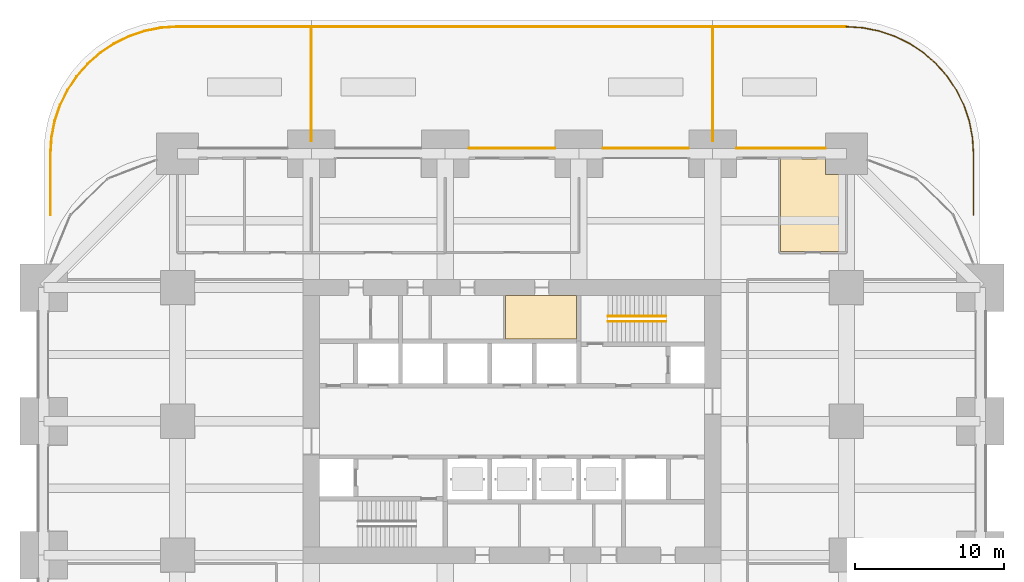
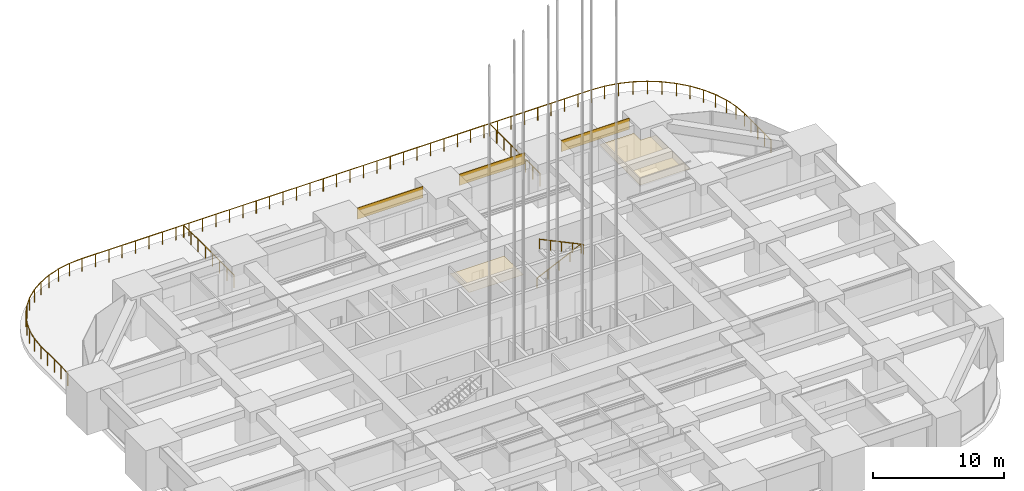
# One storey, part 41 of 50: 6 railings, 5 coverings.
"""IFC4 building model written with IfcOpenShell, lengths in metres."""

from ifc_helpers import new_model, si_unit, direction, frame, frame_2d, origin, origin_2d, place, context, subcontext, project, spatial, polyline, rectangle, circle, outline, extrude, material, layer, layer_set, type_object, element, save


model = new_model("IFC4")

# Units and contexts
model_context = context("Model", 3, precision=1e-05, world=origin(), true_north=direction((0.0, 1.0)))
body_context = subcontext(model_context, "Body", "Model", "MODEL_VIEW")
ifc_project = project(units=[si_unit("LENGTHUNIT", "METRE"), si_unit("AREAUNIT", "SQUARE_METRE"), si_unit("VOLUMEUNIT", "CUBIC_METRE"), si_unit("PLANEANGLEUNIT", "RADIAN"), si_unit("MASSUNIT", "GRAM", prefix="KILO")], contexts=[model_context])

# Site, building, storey
site_placement = place(None, origin())
site = spatial("IfcSite", under=ifc_project, at=site_placement, CompositionType="ELEMENT")
building_placement = place(site_placement, origin())
building = spatial("IfcBuilding", under=site, at=building_placement, Name="Zorevar Civic Tower", CompositionType="ELEMENT")
storey_placement = place(building_placement, frame((0.0, 0.0, 85.0)))
storey = spatial("IfcBuildingStorey", under=building, at=storey_placement, Name="L20", CompositionType="ELEMENT", Elevation=85.0)

# Railings
ifc_material_1 = material(Name="Black steel posts and laminated glass", Category="steel")
railing_type_1 = type_object("IfcRailingType", Name="Guard GR1 1200", PredefinedType="GUARDRAIL", material=ifc_material_1)
railing_1_placement = place(storey_placement, frame((0.449951171875, 40.88916015625, 0.0)))
element("IfcRailing", 1, at=railing_1_placement, inside=storey, type_object=railing_type_1, Name="Guard GR1 L20", PredefinedType="GUARDRAIL", context=body_context, shape_type="SweptSolid", body=[
    extrude(circle(Radius=0.02392578125, at=origin_2d()), frame((0.0, 0.0, 1.17578125), z_axis=(0.0, 1.0, 0.0), x_axis=(-1.0, 0.0, 0.0)), (0.0, 0.0, 1.0), 4.09619140625),
    extrude(circle(Radius=0.02392578125, at=origin_2d()), frame((0.0, 4.09619140625, 1.17578125), z_axis=(0.065503586587, 0.997852333837, 0.0), x_axis=(-0.997852333837, 0.065503586587, 0.0)), (0.0, 0.0, 1.0), 1.133056640625),
    extrude(circle(Radius=0.02392578125, at=origin_2d()), frame((0.07421875, 5.226806640625, 1.17578125), z_axis=(0.194982288456, 0.980806763429, 0.0), x_axis=(-0.980806763429, 0.194982288456, 0.0)), (0.0, 0.0, 1.0), 1.1181640625),
    extrude(circle(Radius=0.02392578125, at=origin_2d()), frame((0.292236328125, 6.323486328125, 1.17578125), z_axis=(0.321593506374, 0.946877825624, 0.0), x_axis=(-0.946877825624, 0.321593506374, 0.0)), (0.0, 0.0, 1.0), 1.1181640625),
    extrude(circle(Radius=0.02392578125, at=origin_2d()), frame((0.65185546875, 7.38232421875, 1.17578125), z_axis=(0.442316540366, 0.896859006823, 0.0), x_axis=(-0.896859006823, 0.442316540366, 0.0)), (0.0, 0.0, 1.0), 1.1181640625),
    extrude(circle(Radius=0.02392578125, at=origin_2d()), frame((1.146484375, 8.38525390625, 1.17578125), z_axis=(0.555405337512, 0.831579768311, 0.0), x_axis=(-0.831579768311, 0.555405337512, 0.0)), (0.0, 0.0, 1.0), 1.1181640625),
    extrude(circle(Radius=0.02392578125, at=origin_2d()), frame((1.767578125, 9.315185546875, 1.17578125), z_axis=(0.659307936578, 0.751873024363, 0.0), x_axis=(-0.751873024363, 0.659307936578, 0.0)), (0.0, 0.0, 1.0), 1.118408203125),
    extrude(circle(Radius=0.02392578125, at=origin_2d()), frame((2.5048828125, 10.156005859375, 1.17578125), z_axis=(0.751873024363, 0.659307936578, 0.0), x_axis=(-0.659307936578, 0.751873024363, 0.0)), (0.0, 0.0, 1.0), 1.118408203125),
    extrude(circle(Radius=0.02392578125, at=origin_2d()), frame((3.345703125, 10.893310546875, 1.17578125), z_axis=(0.831579768311, 0.555405337512, 0.0), x_axis=(-0.555405337512, 0.831579768311, 0.0)), (0.0, 0.0, 1.0), 1.1181640625),
    extrude(circle(Radius=0.02392578125, at=origin_2d()), frame((4.275634765625, 11.514404296875, 1.17578125), z_axis=(0.896859006823, 0.442316540366, 0.0), x_axis=(-0.442316540366, 0.896859006823, 0.0)), (0.0, 0.0, 1.0), 1.1181640625),
    extrude(circle(Radius=0.02392578125, at=origin_2d()), frame((5.278564453125, 12.009033203125, 1.17578125), z_axis=(0.946877825624, 0.321593506374, 0.0), x_axis=(-0.321593506374, 0.946877825624, 0.0)), (0.0, 0.0, 1.0), 1.1181640625),
    extrude(circle(Radius=0.02392578125, at=origin_2d()), frame((6.33740234375, 12.36865234375, 1.17578125), z_axis=(0.980806763429, 0.194982288456, 0.0), x_axis=(-0.194982288456, 0.980806763429, 0.0)), (0.0, 0.0, 1.0), 1.1181640625),
    extrude(circle(Radius=0.02392578125, at=origin_2d()), frame((7.43408203125, 12.586669921875, 1.17578125), z_axis=(0.997852333837, 0.065503586587, 0.0), x_axis=(-0.065503586587, 0.997852333837, 0.0)), (0.0, 0.0, 1.0), 1.133056640625),
    extrude(circle(Radius=0.02392578125, at=origin_2d()), frame((8.564697265625, 12.660888671875, 1.17578125), z_axis=(1.0, 0.0, 0.0), x_axis=(0.0, 1.0, 0.0)), (0.0, 0.0, 1.0), 44.970703125),
    extrude(circle(Radius=0.02099609375, at=origin_2d()), origin(), (0.0, 0.0, 1.0), 1.15185546875),
    extrude(circle(Radius=0.02099609375, at=origin_2d()), frame((0.0, 1.02392578125, 0.0)), (0.0, 0.0, 1.0), 1.15185546875),
    extrude(circle(Radius=0.02099609375, at=origin_2d()), frame((0.0, 2.048095703125, 0.0)), (0.0, 0.0, 1.0), 1.15185546875),
    extrude(circle(Radius=0.02099609375, at=origin_2d()), frame((0.0, 3.072265625, 0.0)), (0.0, 0.0, 1.0), 1.15185546875),
    extrude(circle(Radius=0.02099609375, at=origin_2d()), frame((0.0, 4.09619140625, 0.0)), (0.0, 0.0, 1.0), 1.15185546875),
    extrude(circle(Radius=0.02099609375, at=origin_2d()), frame((0.07421875, 5.226806640625, 0.0)), (0.0, 0.0, 1.0), 1.15185546875),
    extrude(circle(Radius=0.02099609375, at=origin_2d()), frame((0.292236328125, 6.323486328125, 0.0)), (0.0, 0.0, 1.0), 1.15185546875),
    extrude(circle(Radius=0.02099609375, at=origin_2d()), frame((0.65185546875, 7.38232421875, 0.0)), (0.0, 0.0, 1.0), 1.15185546875),
    extrude(circle(Radius=0.02099609375, at=origin_2d()), frame((1.146484375, 8.38525390625, 0.0)), (0.0, 0.0, 1.0), 1.15185546875),
    extrude(circle(Radius=0.02099609375, at=origin_2d()), frame((1.767578125, 9.315185546875, 0.0)), (0.0, 0.0, 1.0), 1.15185546875),
    extrude(circle(Radius=0.02099609375, at=origin_2d()), frame((2.5048828125, 10.156005859375, 0.0)), (0.0, 0.0, 1.0), 1.15185546875),
    extrude(circle(Radius=0.02099609375, at=origin_2d()), frame((3.345703125, 10.893310546875, 0.0)), (0.0, 0.0, 1.0), 1.15185546875),
    extrude(circle(Radius=0.02099609375, at=origin_2d()), frame((4.275634765625, 11.514404296875, 0.0)), (0.0, 0.0, 1.0), 1.15185546875),
    extrude(circle(Radius=0.02099609375, at=origin_2d()), frame((5.278564453125, 12.009033203125, 0.0)), (0.0, 0.0, 1.0), 1.15185546875),
    extrude(circle(Radius=0.02099609375, at=origin_2d()), frame((6.33740234375, 12.36865234375, 0.0)), (0.0, 0.0, 1.0), 1.15185546875),
    extrude(circle(Radius=0.02099609375, at=origin_2d()), frame((7.43408203125, 12.586669921875, 0.0)), (0.0, 0.0, 1.0), 1.15185546875),
    extrude(circle(Radius=0.02099609375, at=origin_2d()), frame((8.564697265625, 12.660888671875, 0.0)), (0.0, 0.0, 1.0), 1.15185546875),
    extrude(circle(Radius=0.02099609375, at=origin_2d()), frame((9.748046875, 12.660888671875, 0.0)), (0.0, 0.0, 1.0), 1.15185546875),
    extrude(circle(Radius=0.02099609375, at=origin_2d()), frame((10.931640625, 12.660888671875, 0.0)), (0.0, 0.0, 1.0), 1.15185546875),
    extrude(circle(Radius=0.02099609375, at=origin_2d()), frame((12.114990234375, 12.660888671875, 0.0)), (0.0, 0.0, 1.0), 1.15185546875),
    extrude(circle(Radius=0.02099609375, at=origin_2d()), frame((13.29833984375, 12.660888671875, 0.0)), (0.0, 0.0, 1.0), 1.15185546875),
    extrude(circle(Radius=0.02099609375, at=origin_2d()), frame((14.48193359375, 12.660888671875, 0.0)), (0.0, 0.0, 1.0), 1.15185546875),
    extrude(circle(Radius=0.02099609375, at=origin_2d()), frame((15.665283203125, 12.660888671875, 0.0)), (0.0, 0.0, 1.0), 1.15185546875),
    extrude(circle(Radius=0.02099609375, at=origin_2d()), frame((16.848876953125, 12.660888671875, 0.0)), (0.0, 0.0, 1.0), 1.15185546875),
    extrude(circle(Radius=0.02099609375, at=origin_2d()), frame((18.0322265625, 12.660888671875, 0.0)), (0.0, 0.0, 1.0), 1.15185546875),
    extrude(circle(Radius=0.02099609375, at=origin_2d()), frame((19.215576171875, 12.660888671875, 0.0)), (0.0, 0.0, 1.0), 1.15185546875),
    extrude(circle(Radius=0.02099609375, at=origin_2d()), frame((20.399169921875, 12.660888671875, 0.0)), (0.0, 0.0, 1.0), 1.15185546875),
    extrude(circle(Radius=0.02099609375, at=origin_2d()), frame((21.58251953125, 12.660888671875, 0.0)), (0.0, 0.0, 1.0), 1.15185546875),
    extrude(circle(Radius=0.02099609375, at=origin_2d()), frame((22.765869140625, 12.660888671875, 0.0)), (0.0, 0.0, 1.0), 1.15185546875),
    extrude(circle(Radius=0.02099609375, at=origin_2d()), frame((23.949462890625, 12.660888671875, 0.0)), (0.0, 0.0, 1.0), 1.15185546875),
    extrude(circle(Radius=0.02099609375, at=origin_2d()), frame((25.1328125, 12.660888671875, 0.0)), (0.0, 0.0, 1.0), 1.15185546875),
    extrude(circle(Radius=0.02099609375, at=origin_2d()), frame((26.31640625, 12.660888671875, 0.0)), (0.0, 0.0, 1.0), 1.15185546875),
    extrude(circle(Radius=0.02099609375, at=origin_2d()), frame((27.499755859375, 12.660888671875, 0.0)), (0.0, 0.0, 1.0), 1.15185546875),
    extrude(circle(Radius=0.02099609375, at=origin_2d()), frame((28.68310546875, 12.660888671875, 0.0)), (0.0, 0.0, 1.0), 1.15185546875),
    extrude(circle(Radius=0.02099609375, at=origin_2d()), frame((29.86669921875, 12.660888671875, 0.0)), (0.0, 0.0, 1.0), 1.15185546875),
    extrude(circle(Radius=0.02099609375, at=origin_2d()), frame((31.050048828125, 12.660888671875, 0.0)), (0.0, 0.0, 1.0), 1.15185546875),
    extrude(circle(Radius=0.02099609375, at=origin_2d()), frame((32.2333984375, 12.660888671875, 0.0)), (0.0, 0.0, 1.0), 1.15185546875),
    extrude(circle(Radius=0.02099609375, at=origin_2d()), frame((33.4169921875, 12.660888671875, 0.0)), (0.0, 0.0, 1.0), 1.15185546875),
    extrude(circle(Radius=0.02099609375, at=origin_2d()), frame((34.600341796875, 12.660888671875, 0.0)), (0.0, 0.0, 1.0), 1.15185546875),
    extrude(circle(Radius=0.02099609375, at=origin_2d()), frame((35.78369140625, 12.660888671875, 0.0)), (0.0, 0.0, 1.0), 1.15185546875),
    extrude(circle(Radius=0.02099609375, at=origin_2d()), frame((36.96728515625, 12.660888671875, 0.0)), (0.0, 0.0, 1.0), 1.15185546875),
    extrude(circle(Radius=0.02099609375, at=origin_2d()), frame((38.150634765625, 12.660888671875, 0.0)), (0.0, 0.0, 1.0), 1.15185546875),
    extrude(circle(Radius=0.02099609375, at=origin_2d()), frame((39.334228515625, 12.660888671875, 0.0)), (0.0, 0.0, 1.0), 1.15185546875),
    extrude(circle(Radius=0.02099609375, at=origin_2d()), frame((40.517578125, 12.660888671875, 0.0)), (0.0, 0.0, 1.0), 1.15185546875),
    extrude(circle(Radius=0.02099609375, at=origin_2d()), frame((41.700927734375, 12.660888671875, 0.0)), (0.0, 0.0, 1.0), 1.15185546875),
    extrude(circle(Radius=0.02099609375, at=origin_2d()), frame((42.884521484375, 12.660888671875, 0.0)), (0.0, 0.0, 1.0), 1.15185546875),
    extrude(circle(Radius=0.02099609375, at=origin_2d()), frame((44.06787109375, 12.660888671875, 0.0)), (0.0, 0.0, 1.0), 1.15185546875),
    extrude(circle(Radius=0.02099609375, at=origin_2d()), frame((45.251220703125, 12.660888671875, 0.0)), (0.0, 0.0, 1.0), 1.15185546875),
    extrude(circle(Radius=0.02099609375, at=origin_2d()), frame((46.434814453125, 12.660888671875, 0.0)), (0.0, 0.0, 1.0), 1.15185546875),
    extrude(circle(Radius=0.02099609375, at=origin_2d()), frame((47.6181640625, 12.660888671875, 0.0)), (0.0, 0.0, 1.0), 1.15185546875),
    extrude(circle(Radius=0.02099609375, at=origin_2d()), frame((48.8017578125, 12.660888671875, 0.0)), (0.0, 0.0, 1.0), 1.15185546875),
    extrude(circle(Radius=0.02099609375, at=origin_2d()), frame((49.985107421875, 12.660888671875, 0.0)), (0.0, 0.0, 1.0), 1.15185546875),
    extrude(circle(Radius=0.02099609375, at=origin_2d()), frame((51.16845703125, 12.660888671875, 0.0)), (0.0, 0.0, 1.0), 1.15185546875),
    extrude(circle(Radius=0.02099609375, at=origin_2d()), frame((52.35205078125, 12.660888671875, 0.0)), (0.0, 0.0, 1.0), 1.15185546875),
    extrude(circle(Radius=0.02099609375, at=origin_2d()), frame((53.535400390625, 12.660888671875, 0.0)), (0.0, 0.0, 1.0), 1.15185546875),
])
railing_2_placement = place(storey_placement, frame((53.9853515625, 53.550048828125, 0.0)))
element("IfcRailing", 2, at=railing_2_placement, inside=storey, type_object=railing_type_1, Name="Guard GR1 L20", PredefinedType="GUARDRAIL", context=body_context, shape_type="SweptSolid", body=[
    extrude(circle(Radius=0.02392578125, at=origin_2d()), frame((0.0, 0.0, 1.17578125), z_axis=(0.997852333837, -0.065503586587, 0.0), x_axis=(0.065503586587, 0.997852333837, 0.0)), (0.0, 0.0, 1.0), 1.133056640625),
    extrude(circle(Radius=0.02392578125, at=origin_2d()), frame((1.130615234375, -0.07421875, 1.17578125), z_axis=(0.980806763429, -0.194982288456, 0.0), x_axis=(0.194982288456, 0.980806763429, 0.0)), (0.0, 0.0, 1.0), 1.1181640625),
    extrude(circle(Radius=0.02392578125, at=origin_2d()), frame((2.227294921875, -0.292236328125, 1.17578125), z_axis=(0.946877825624, -0.321593506374, 0.0), x_axis=(0.321593506374, 0.946877825624, 0.0)), (0.0, 0.0, 1.0), 1.1181640625),
    extrude(circle(Radius=0.02392578125, at=origin_2d()), frame((3.2861328125, -0.65185546875, 1.17578125), z_axis=(0.896859006823, -0.442316540366, 0.0), x_axis=(0.442316540366, 0.896859006823, 0.0)), (0.0, 0.0, 1.0), 1.1181640625),
    extrude(circle(Radius=0.02392578125, at=origin_2d()), frame((4.2890625, -1.146484375, 1.17578125), z_axis=(0.831579768311, -0.555405337512, 0.0), x_axis=(0.555405337512, 0.831579768311, 0.0)), (0.0, 0.0, 1.0), 1.1181640625),
    extrude(circle(Radius=0.02392578125, at=origin_2d()), frame((5.218994140625, -1.767578125, 1.17578125), z_axis=(0.751873024363, -0.659307936578, 0.0), x_axis=(0.659307936578, 0.751873024363, 0.0)), (0.0, 0.0, 1.0), 1.118408203125),
    extrude(circle(Radius=0.02392578125, at=origin_2d()), frame((6.059814453125, -2.5048828125, 1.17578125), z_axis=(0.659307936578, -0.751873024363, 0.0), x_axis=(0.751873024363, 0.659307936578, 0.0)), (0.0, 0.0, 1.0), 1.118408203125),
    extrude(circle(Radius=0.02392578125, at=origin_2d()), frame((6.797119140625, -3.345703125, 1.17578125), z_axis=(0.555405337512, -0.831579768311, 0.0), x_axis=(0.831579768311, 0.555405337512, 0.0)), (0.0, 0.0, 1.0), 1.1181640625),
    extrude(circle(Radius=0.02392578125, at=origin_2d()), frame((7.418212890625, -4.275634765625, 1.17578125), z_axis=(0.442316540366, -0.896859006823, 0.0), x_axis=(0.896859006823, 0.442316540366, 0.0)), (0.0, 0.0, 1.0), 1.1181640625),
    extrude(circle(Radius=0.02392578125, at=origin_2d()), frame((7.912841796875, -5.278564453125, 1.17578125), z_axis=(0.321593506374, -0.946877825624, 0.0), x_axis=(0.946877825624, 0.321593506374, 0.0)), (0.0, 0.0, 1.0), 1.1181640625),
    extrude(circle(Radius=0.02392578125, at=origin_2d()), frame((8.2724609375, -6.33740234375, 1.17578125), z_axis=(0.194982288456, -0.980806763429, 0.0), x_axis=(0.980806763429, 0.194982288456, 0.0)), (0.0, 0.0, 1.0), 1.1181640625),
    extrude(circle(Radius=0.02392578125, at=origin_2d()), frame((8.490478515625, -7.43408203125, 1.17578125), z_axis=(0.065503586587, -0.997852333837, 0.0), x_axis=(0.997852333837, 0.065503586587, 0.0)), (0.0, 0.0, 1.0), 1.133056640625),
    extrude(circle(Radius=0.02392578125, at=origin_2d()), frame((8.564697265625, -8.564697265625, 1.17578125), z_axis=(0.0, -1.0, 0.0), x_axis=(1.0, 0.0, 0.0)), (0.0, 0.0, 1.0), 4.09619140625),
    extrude(circle(Radius=0.02099609375, at=origin_2d()), origin(), (0.0, 0.0, 1.0), 1.15185546875),
    extrude(circle(Radius=0.02099609375, at=origin_2d()), frame((1.130615234375, -0.07421875, 0.0)), (0.0, 0.0, 1.0), 1.15185546875),
    extrude(circle(Radius=0.02099609375, at=origin_2d()), frame((2.227294921875, -0.292236328125, 0.0)), (0.0, 0.0, 1.0), 1.15185546875),
    extrude(circle(Radius=0.02099609375, at=origin_2d()), frame((3.2861328125, -0.65185546875, 0.0)), (0.0, 0.0, 1.0), 1.15185546875),
    extrude(circle(Radius=0.02099609375, at=origin_2d()), frame((4.2890625, -1.146484375, 0.0)), (0.0, 0.0, 1.0), 1.15185546875),
    extrude(circle(Radius=0.02099609375, at=origin_2d()), frame((5.218994140625, -1.767578125, 0.0)), (0.0, 0.0, 1.0), 1.15185546875),
    extrude(circle(Radius=0.02099609375, at=origin_2d()), frame((6.059814453125, -2.5048828125, 0.0)), (0.0, 0.0, 1.0), 1.15185546875),
    extrude(circle(Radius=0.02099609375, at=origin_2d()), frame((6.797119140625, -3.345703125, 0.0)), (0.0, 0.0, 1.0), 1.15185546875),
    extrude(circle(Radius=0.02099609375, at=origin_2d()), frame((7.418212890625, -4.275634765625, 0.0)), (0.0, 0.0, 1.0), 1.15185546875),
    extrude(circle(Radius=0.02099609375, at=origin_2d()), frame((7.912841796875, -5.278564453125, 0.0)), (0.0, 0.0, 1.0), 1.15185546875),
    extrude(circle(Radius=0.02099609375, at=origin_2d()), frame((8.2724609375, -6.33740234375, 0.0)), (0.0, 0.0, 1.0), 1.15185546875),
    extrude(circle(Radius=0.02099609375, at=origin_2d()), frame((8.490478515625, -7.43408203125, 0.0)), (0.0, 0.0, 1.0), 1.15185546875),
    extrude(circle(Radius=0.02099609375, at=origin_2d()), frame((8.564697265625, -8.564697265625, 0.0)), (0.0, 0.0, 1.0), 1.15185546875),
    extrude(circle(Radius=0.02099609375, at=origin_2d()), frame((8.564697265625, -9.5888671875, 0.0)), (0.0, 0.0, 1.0), 1.15185546875),
    extrude(circle(Radius=0.02099609375, at=origin_2d()), frame((8.564697265625, -10.61279296875, 0.0)), (0.0, 0.0, 1.0), 1.15185546875),
    extrude(circle(Radius=0.02099609375, at=origin_2d()), frame((8.564697265625, -11.63671875, 0.0)), (0.0, 0.0, 1.0), 1.15185546875),
    extrude(circle(Radius=0.02099609375, at=origin_2d()), frame((8.564697265625, -12.660888671875, 0.0)), (0.0, 0.0, 1.0), 1.15185546875),
])
for number, where, name in (
    (3, (18.0, 45.85009765625, 0.0), "Guard GR1 L20"),
    (4, (45.0, 45.85009765625, 0.0), "Guard GR1 L20"),
):
    element("IfcRailing", number, at=place(storey_placement, frame(where)), inside=storey, type_object=railing_type_1, Name=name, PredefinedType="GUARDRAIL", context=body_context, shape_type="SweptSolid", body=[
        extrude(circle(Radius=0.02392578125, at=origin_2d()), frame((0.0, 0.0, 1.17578125), z_axis=(0.0, 1.0, 0.0), x_axis=(-1.0, 0.0, 0.0)), (0.0, 0.0, 1.0), 7.699951171875),
        extrude(circle(Radius=0.02099609375, at=origin_2d()), origin(), (0.0, 0.0, 1.0), 1.15185546875),
        extrude(circle(Radius=0.02099609375, at=origin_2d()), frame((0.0, 1.10009765625, 0.0)), (0.0, 0.0, 1.0), 1.15185546875),
        extrude(circle(Radius=0.02099609375, at=origin_2d()), frame((0.0, 2.199951171875, 0.0)), (0.0, 0.0, 1.0), 1.15185546875),
        extrude(circle(Radius=0.02099609375, at=origin_2d()), frame((0.0, 3.300048828125, 0.0)), (0.0, 0.0, 1.0), 1.15185546875),
        extrude(circle(Radius=0.02099609375, at=origin_2d()), frame((0.0, 4.39990234375, 0.0)), (0.0, 0.0, 1.0), 1.15185546875),
        extrude(circle(Radius=0.02099609375, at=origin_2d()), frame((0.0, 5.5, 0.0)), (0.0, 0.0, 1.0), 1.15185546875),
        extrude(circle(Radius=0.02099609375, at=origin_2d()), frame((0.0, 6.599853515625, 0.0)), (0.0, 0.0, 1.0), 1.15185546875),
        extrude(circle(Radius=0.02099609375, at=origin_2d()), frame((0.0, 7.699951171875, 0.0)), (0.0, 0.0, 1.0), 1.15185546875),
    ])
ifc_material_2 = material(Name="Black steel handrail", Category="steel")
railing_type_2 = type_object("IfcRailingType", Name="Handrail HR1 900", PredefinedType="HANDRAIL", material=ifc_material_2)
railing_3_placement = place(storey_placement, frame((37.949951171875, 34.074951171875, 0.142822265625)))
element("IfcRailing", 5, at=railing_3_placement, inside=storey, type_object=railing_type_2, Name="Handrail HR1 ST2 L20", PredefinedType="HANDRAIL", context=body_context, shape_type="SweptSolid", body=[
    extrude(circle(Radius=0.02392578125, at=origin_2d()), frame((0.0, 0.0, 0.8759765625), z_axis=(0.902863652845, 0.0, 0.429926998885), x_axis=(0.0, 1.0, 0.0)), (0.0, 0.0, 1.0), 4.31982421875),
    extrude(circle(Radius=0.02099609375, at=origin_2d()), origin(), (0.0, 0.0, 1.0), 0.851806640625),
    extrude(circle(Radius=0.02099609375, at=origin_2d()), frame((0.97509765625, 0.0, 0.46435546875)), (0.0, 0.0, 1.0), 0.851806640625),
    extrude(circle(Radius=0.02099609375, at=origin_2d()), frame((1.9501953125, 0.0, 0.9287109375)), (0.0, 0.0, 1.0), 0.851806640625),
    extrude(circle(Radius=0.02099609375, at=origin_2d()), frame((2.925048828125, 0.0, 1.392822265625)), (0.0, 0.0, 1.0), 0.851806640625),
    extrude(circle(Radius=0.02099609375, at=origin_2d()), frame((3.900146484375, 0.0, 1.857177734375)), (0.0, 0.0, 1.0), 0.851806640625),
])
railing_4_placement = place(storey_placement, frame((41.85009765625, 33.72509765625, 2.142822265625)))
element("IfcRailing", 6, at=railing_4_placement, inside=storey, type_object=railing_type_2, Name="Handrail HR1 ST2 L20", PredefinedType="HANDRAIL", context=body_context, shape_type="SweptSolid", body=[
    extrude(circle(Radius=0.02392578125, at=origin_2d()), frame((0.0, 0.0, 0.8759765625), z_axis=(-0.902863652845, 0.0, 0.429926998885), x_axis=(0.0, -1.0, 0.0)), (0.0, 0.0, 1.0), 4.31982421875),
    extrude(circle(Radius=0.02099609375, at=origin_2d()), origin(), (0.0, 0.0, 1.0), 0.851806640625),
    extrude(circle(Radius=0.02099609375, at=origin_2d()), frame((-0.97509765625, 0.0, 0.46435546875)), (0.0, 0.0, 1.0), 0.851806640625),
    extrude(circle(Radius=0.02099609375, at=origin_2d()), frame((-1.9501953125, 0.0, 0.9287109375)), (0.0, 0.0, 1.0), 0.851806640625),
    extrude(circle(Radius=0.02099609375, at=origin_2d()), frame((-2.925048828125, 0.0, 1.392822265625)), (0.0, 0.0, 1.0), 0.851806640625),
    extrude(circle(Radius=0.02099609375, at=origin_2d()), frame((-3.900146484375, 0.0, 1.857177734375)), (0.0, 0.0, 1.0), 0.851806640625),
])

# Coverings
ifc_material_3 = material(Name="Moisture-resistant gypsum board")
ifc_layer_1 = layer(ifc_material_3, 0.012451171875)
ifc_layer_set_1 = layer_set([ifc_layer_1], Name="Moisture-resistant ceiling SC3")
covering_type_1 = type_object("IfcCoveringType", Name="Moisture-resistant ceiling SC3", PredefinedType="CEILING", material=ifc_layer_set_1)
covering_1_placement = place(storey_placement, frame((0.0, 0.0, 3.0)))
element("IfcCovering", 7, at=covering_1_placement, inside=storey, type_object=covering_type_1, Name="Ceiling L20-08", PredefinedType="CEILING", context=body_context, shape_type="SweptSolid", body=[
    extrude(outline(polyline([(35.85009765625, 32.550048828125), (35.85009765625, 35.449951171875), (31.074951171875, 35.449951171875), (31.074951171875, 32.550048828125), (35.85009765625, 32.550048828125)])), origin(), (0.0, 0.0, 1.0), 0.012451171875),
])
ifc_material_4 = material(Name="Black anodised aluminium spandrel panel", Category="aluminium")
ifc_layer_2 = layer(ifc_material_4, 0.050048828125)
ifc_layer_set_2 = layer_set([ifc_layer_2], Name="Spandrel cladding SP1")
covering_type_2 = type_object("IfcCoveringType", Name="Spandrel cladding SP1", PredefinedType="CLADDING", material=ifc_layer_set_2)
for number, where, z_axis, x_axis, name in (
    (8, (28.60009765625, 45.375, 2.949951171875), (0.0, 0.0, 1.0), (1.0, 0.0, 0.0), "Spandrel cladding L21"),
    (9, (37.60009765625, 45.375, 2.949951171875), (0.0, 0.0, 1.0), (1.0, 0.0, 0.0), "Spandrel cladding L21"),
):
    element("IfcCovering", number, at=place(storey_placement, frame(where, z_axis=z_axis, x_axis=x_axis)), inside=storey, type_object=covering_type_2, Name=name, PredefinedType="CLADDING", context=body_context, shape_type="SweptSolid", body=[
        extrude(rectangle(XDim=5.7998046875, YDim=0.050048828125, at=frame_2d((2.89990234375, 0.0))), origin(), (0.0, 0.0, 1.0), 1.050048828125),
    ])
covering_2_placement = place(storey_placement, frame((46.60009765625, 45.375, 2.949951171875), z_axis=(0.0, 0.0, 1.0), x_axis=(1.0, 0.0, 0.0)))
element("IfcCovering", 10, at=covering_2_placement, inside=storey, type_object=covering_type_2, Name="Spandrel cladding L21", PredefinedType="CLADDING", context=body_context, shape_type="SweptSolid", body=[
    extrude(rectangle(XDim=6.0, YDim=0.050048828125, at=frame_2d((3.0, 0.0))), origin(), (0.0, 0.0, 1.0), 1.050048828125),
])
ifc_material_5 = material(Name="Mineral fibre tiles on a concealed grid")
ifc_layer_3 = layer(ifc_material_5, 0.02001953125)
ifc_layer_set_3 = layer_set([ifc_layer_3], Name="Suspended ceiling SC1")
covering_type_3 = type_object("IfcCoveringType", Name="Suspended ceiling SC1", PredefinedType="CEILING", material=ifc_layer_set_3)
covering_3_placement = place(storey_placement, frame((0.0, 0.0, 3.0)))
element("IfcCovering", 11, at=covering_3_placement, inside=storey, type_object=covering_type_3, Name="Ceiling L20-21", PredefinedType="CEILING", context=body_context, shape_type="SweptSolid", body=[
    extrude(outline(polyline([(49.56005859375, 38.409912109375), (49.56005859375, 44.64990234375), (52.590087890625, 44.64990234375), (52.590087890625, 43.590087890625), (53.93994140625, 43.590087890625), (53.93994140625, 38.409912109375), (49.56005859375, 38.409912109375)])), origin(), (0.0, 0.0, 1.0), 0.02001953125),
])

save(model, "model.ifc")
